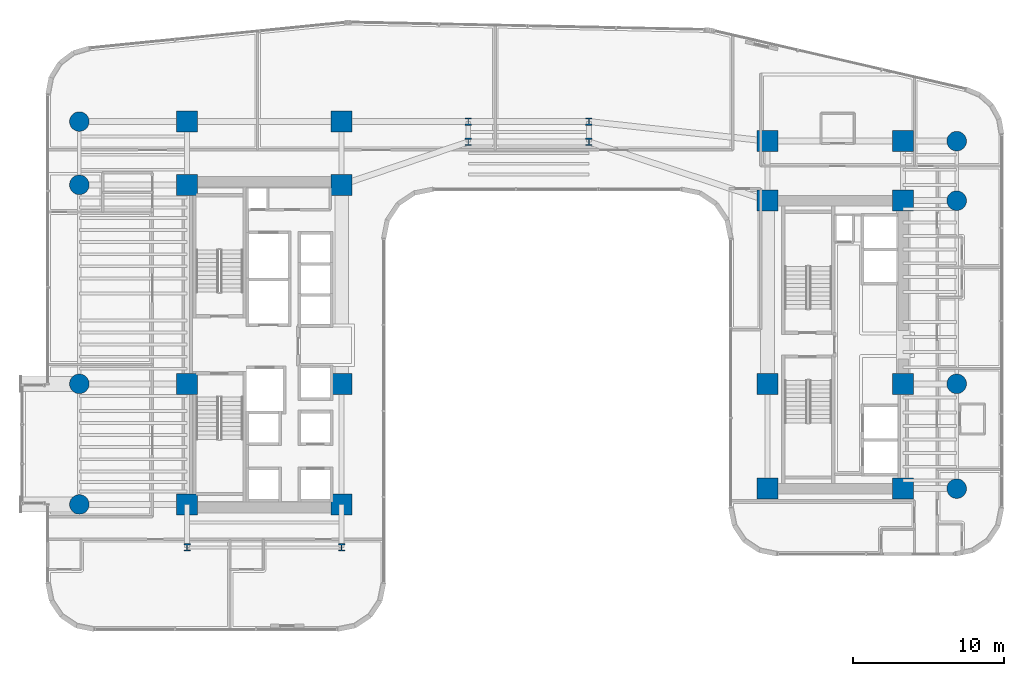
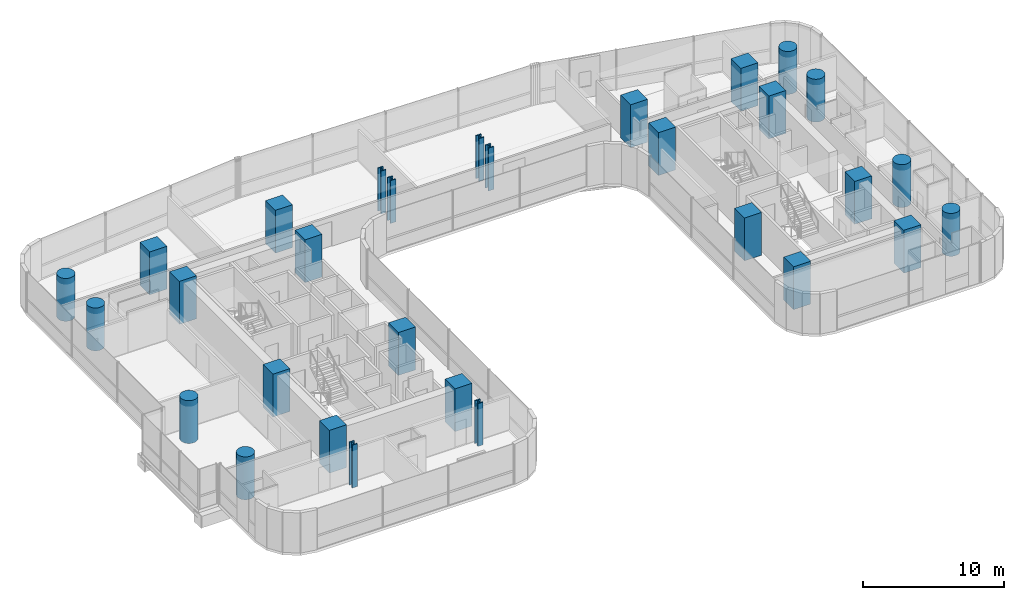
# One storey, part 1 of 40: 30 columns.
"""IFC4 building model written with IfcOpenShell, lengths in metres."""

from ifc_helpers import new_model, si_unit, direction, frame, origin, origin_2d, place, context, subcontext, project, spatial, rectangle, circle, i_section, extrude, source, transform, mapped, material, material_profile, profile_set, type_object, element, save


model = new_model("IFC4")

# Units and contexts
model_context = context("Model", 3, precision=1e-05, world=origin(), true_north=direction((0.0, 1.0)))
body_context = subcontext(model_context, "Body", "Model", "MODEL_VIEW")
ifc_project = project(units=[si_unit("LENGTHUNIT", "METRE"), si_unit("AREAUNIT", "SQUARE_METRE"), si_unit("VOLUMEUNIT", "CUBIC_METRE"), si_unit("PLANEANGLEUNIT", "RADIAN"), si_unit("MASSUNIT", "GRAM", prefix="KILO")], contexts=[model_context])

# Site, building, storey
site_placement = place(None, origin())
site = spatial("IfcSite", under=ifc_project, at=site_placement, CompositionType="ELEMENT")
building_placement = place(site_placement, origin())
building = spatial("IfcBuilding", under=site, at=building_placement, Name="Valdorenza Pilgrim Sanctuary Tower", CompositionType="ELEMENT")
storey_placement = place(building_placement, frame((0.0, 0.0, 66.699951171875)))
storey = spatial("IfcBuildingStorey", under=building, at=storey_placement, Name="L16", CompositionType="ELEMENT", Elevation=66.699951171875)

# Columns
ifc_material_1 = material(Name="Concrete C60/75", Category="concrete")
ifc_material_profile_1 = material_profile(ifc_material_1, circle(Radius=0.64990234375, at=origin_2d()), Name="RC D1300")
ifc_profile_set_1 = profile_set([ifc_material_profile_1], Name="Concrete C60/75")
column_type_1 = type_object("IfcColumnType", Name="COL-RND-1300", PredefinedType="COLUMN", material=ifc_profile_set_1)
shared_shape_1 = source(origin(), body_context, "Body", "SweptSolid", [
    extrude(circle(Radius=0.64990234375, at=origin_2d()), origin(), (0.0, 0.0, 1.0), 3.699951171875),
])
for number, where, z_axis, x_axis, name in (
    (1, (-29.800048828125, -10.60009765625, 0.0), (0.0, 0.0, 1.0), (1.0, 0.0, 0.0), "L16 Perimeter Column WA-W-S1"),
    (2, (-29.800048828125, -2.60009765625, 0.0), (0.0, 0.0, 1.0), (1.0, 0.0, 0.0), "L16 Perimeter Column WA-W-M0"),
    (3, (-29.800048828125, 10.60009765625, 0.0), (0.0, 0.0, 1.0), (1.0, 0.0, 0.0), "L16 Perimeter Column WA-W-N1"),
    (4, (-29.800048828125, 14.800048828125, 0.0), (0.0, 0.0, 1.0), (1.0, 0.0, 0.0), "L16 Perimeter Column WA-W-N2"),
    (5, (28.39990234375, -9.550048828125, 0.0), (0.0, 0.0, 1.0), (1.0, 0.0, 0.0), "L16 Perimeter Column WB-E-S1"),
    (6, (28.39990234375, -2.60009765625, 0.0), (0.0, 0.0, 1.0), (1.0, 0.0, 0.0), "L16 Perimeter Column WB-E-M0"),
    (7, (28.39990234375, 9.550048828125, 0.0), (0.0, 0.0, 1.0), (1.0, 0.0, 0.0), "L16 Perimeter Column WB-E-N1"),
    (8, (28.39990234375, 13.5, 0.0), (0.0, 0.0, 1.0), (1.0, 0.0, 0.0), "L16 Perimeter Column WB-E-N2"),
):
    element("IfcColumn", number, at=place(storey_placement, frame(where, z_axis=z_axis, x_axis=x_axis)), inside=storey, type_object=column_type_1, Name=name, PredefinedType="COLUMN", context=body_context, shape_type="MappedRepresentation", body=[
        mapped(shared_shape_1, transform((0.0, 0.0, 0.0), x_axis=(1.0, 0.0, 0.0), y_axis=(0.0, 1.0, 0.0), z_axis=(0.0, 0.0, 1.0), scale=1.0)),
    ])
ifc_material_profile_2 = material_profile(ifc_material_1, rectangle(XDim=1.39990234375, YDim=1.39990234375, at=origin_2d()), Name="RC 1400x1400")
ifc_profile_set_2 = profile_set([ifc_material_profile_2], Name="Concrete C60/75")
column_type_2 = type_object("IfcColumnType", Name="COL-Z1-1400", PredefinedType="COLUMN", material=ifc_profile_set_2)
shared_shape_2 = source(origin(), body_context, "Body", "SweptSolid", [
    extrude(rectangle(XDim=1.39990234375, YDim=1.39990234375, at=origin_2d()), origin(), (0.0, 0.0, 1.0), 3.699951171875),
])
for number, where, z_axis, x_axis, name in (
    (9, (-22.64990234375, -10.60009765625, 0.0), (0.0, 0.0, 1.0), (1.0, 0.0, 0.0), "L16 Column CA-W-S1"),
    (10, (-12.39990234375, -10.60009765625, 0.0), (0.0, 0.0, 1.0), (1.0, 0.0, 0.0), "L16 Column CA-E-S1"),
    (11, (-22.64990234375, -2.60009765625, 0.0), (0.0, 0.0, 1.0), (1.0, 0.0, 0.0), "L16 Column CA-W-M0"),
    (12, (-12.39990234375, -2.60009765625, 0.0), (0.0, 0.0, 1.0), (1.0, 0.0, 0.0), "L16 Column CA-E-M0"),
    (13, (-22.64990234375, 10.60009765625, 0.0), (0.0, 0.0, 1.0), (1.0, 0.0, 0.0), "L16 Column CA-W-N1"),
    (14, (-12.39990234375, 10.60009765625, 0.0), (0.0, 0.0, 1.0), (1.0, 0.0, 0.0), "L16 Column CA-E-N1"),
    (15, (-22.64990234375, 14.800048828125, 0.0), (0.0, 0.0, 1.0), (1.0, 0.0, 0.0), "L16 Column CA-W-N2"),
    (16, (-12.39990234375, 14.800048828125, 0.0), (0.0, 0.0, 1.0), (1.0, 0.0, 0.0), "L16 Column CA-E-N2"),
    (17, (15.85009765625, -9.550048828125, 0.0), (0.0, 0.0, 1.0), (1.0, 0.0, 0.0), "L16 Column CB-W-S1"),
    (18, (24.85009765625, -9.550048828125, 0.0), (0.0, 0.0, 1.0), (1.0, 0.0, 0.0), "L16 Column CB-E-S1"),
    (19, (15.85009765625, -2.60009765625, 0.0), (0.0, 0.0, 1.0), (1.0, 0.0, 0.0), "L16 Column CB-W-M0"),
    (20, (24.85009765625, -2.60009765625, 0.0), (0.0, 0.0, 1.0), (1.0, 0.0, 0.0), "L16 Column CB-E-M0"),
    (21, (15.85009765625, 9.550048828125, 0.0), (0.0, 0.0, 1.0), (1.0, 0.0, 0.0), "L16 Column CB-W-N1"),
    (22, (24.85009765625, 9.550048828125, 0.0), (0.0, 0.0, 1.0), (1.0, 0.0, 0.0), "L16 Column CB-E-N1"),
    (23, (15.85009765625, 13.5, 0.0), (0.0, 0.0, 1.0), (1.0, 0.0, 0.0), "L16 Column CB-W-N2"),
    (24, (24.85009765625, 13.5, 0.0), (0.0, 0.0, 1.0), (1.0, 0.0, 0.0), "L16 Column CB-E-N2"),
):
    element("IfcColumn", number, at=place(storey_placement, frame(where, z_axis=z_axis, x_axis=x_axis)), inside=storey, type_object=column_type_2, Name=name, PredefinedType="COLUMN", context=body_context, shape_type="MappedRepresentation", body=[
        mapped(shared_shape_2, transform((0.0, 0.0, 0.0), x_axis=(1.0, 0.0, 0.0), y_axis=(0.0, 1.0, 0.0), z_axis=(0.0, 0.0, 1.0), scale=1.0)),
    ])
ifc_material_2 = material(Name="Steel ASTM A992 Grade 50", Category="steel")
ifc_material_profile_3 = material_profile(ifc_material_2, i_section(OverallWidth=0.431884765625, OverallDepth=0.498046875, WebThickness=0.0556640625, FlangeThickness=0.0888671875, at=origin_2d()), Name="W14X500")
ifc_profile_set_3 = profile_set([ifc_material_profile_3], Name="Steel ASTM A992 Grade 50")
column_type_3 = type_object("IfcColumnType", Name="COL-STL-W500", PredefinedType="COLUMN", material=ifc_profile_set_3)
shared_shape_3 = source(origin(), body_context, "Body", "SweptSolid", [
    extrude(i_section(OverallWidth=0.431884765625, OverallDepth=0.498046875, WebThickness=0.0556640625, FlangeThickness=0.0888671875, at=origin_2d()), origin(), (0.0, 0.0, 1.0), 3.699951171875),
])
for number, where, z_axis, x_axis, name in (
    (25, (-22.64990234375, -13.449951171875, 0.0), (0.0, 0.0, 1.0), (1.0, 0.0, 0.0), "L16 Column WA-S-W"),
    (26, (-12.39990234375, -13.449951171875, 0.0), (0.0, 0.0, 1.0), (1.0, 0.0, 0.0), "L16 Column WA-S-E"),
    (27, (-4.0, 13.449951171875, 0.0), (0.0, 0.0, 1.0), (1.0, 0.0, 0.0), "L16 Column KNK-W1"),
    (28, (-4.0, 14.800048828125, 0.0), (0.0, 0.0, 1.0), (1.0, 0.0, 0.0), "L16 Column KNK-W2"),
    (29, (4.0, 13.449951171875, 0.0), (0.0, 0.0, 1.0), (1.0, 0.0, 0.0), "L16 Column KNK-E1"),
    (30, (4.0, 14.800048828125, 0.0), (0.0, 0.0, 1.0), (1.0, 0.0, 0.0), "L16 Column KNK-E2"),
):
    element("IfcColumn", number, at=place(storey_placement, frame(where, z_axis=z_axis, x_axis=x_axis)), inside=storey, type_object=column_type_3, Name=name, PredefinedType="COLUMN", context=body_context, shape_type="MappedRepresentation", body=[
        mapped(shared_shape_3, transform((0.0, 0.0, 0.0), x_axis=(1.0, 0.0, 0.0), y_axis=(0.0, 1.0, 0.0), z_axis=(0.0, 0.0, 1.0), scale=1.0)),
    ])

save(model, "model.ifc")
